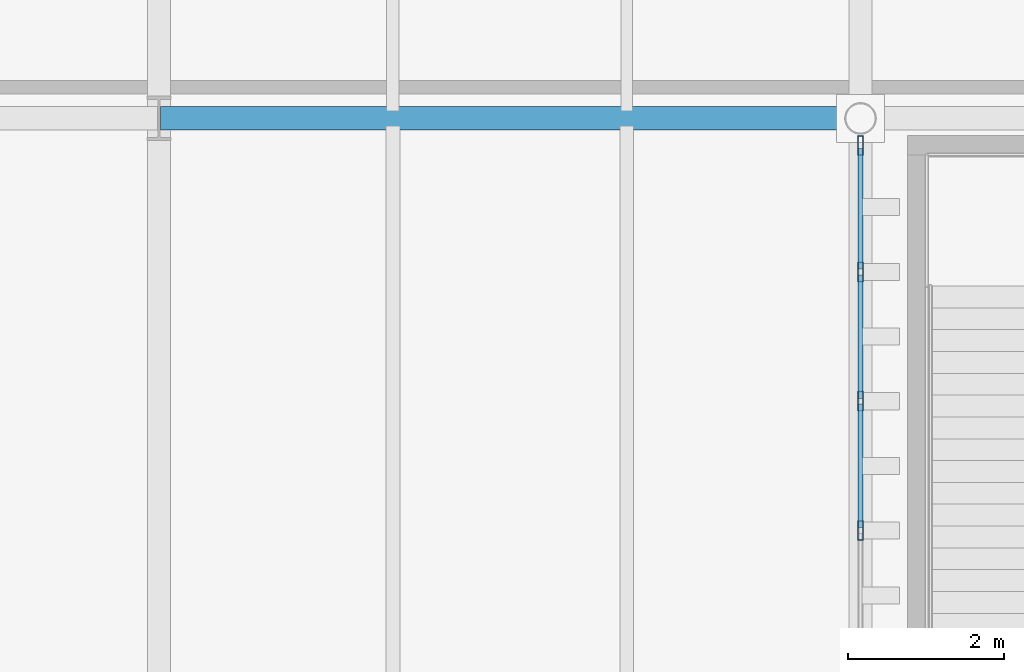
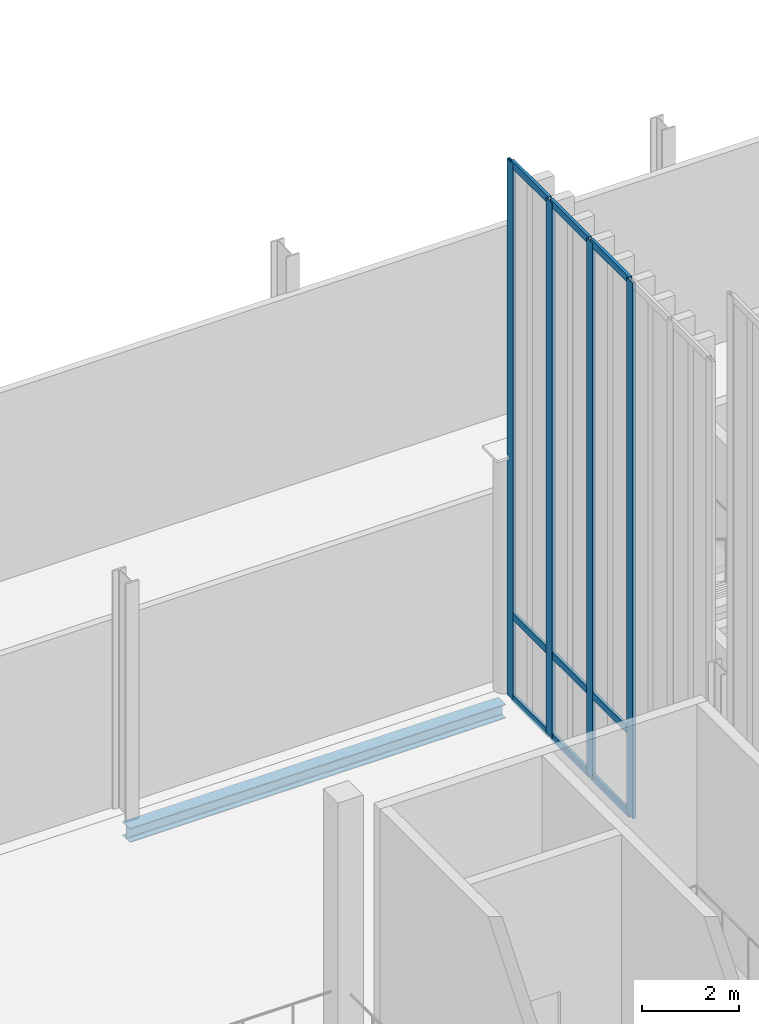
# One storey, part 72 of 237: 13 members, 1 beam, 1 element without a shape of its own.
"""IFC4 building model written with IfcOpenShell, lengths in metres."""

from ifc_helpers import new_model, si_unit, direction, frame, origin, origin_2d, place, context, subcontext, project, spatial, hollow_rectangle, i_section, extrude, material, layer, layer_set, material_profile, profile_set, type_object, element, aggregate, save


model = new_model("IFC4")

# Units and contexts
model_context = context("Model", 3, precision=1e-05, world=origin(), true_north=direction((0.0, 1.0)))
body_context = subcontext(model_context, "Body", "Model", "MODEL_VIEW")
ifc_project = project(units=[si_unit("LENGTHUNIT", "METRE"), si_unit("AREAUNIT", "SQUARE_METRE"), si_unit("VOLUMEUNIT", "CUBIC_METRE"), si_unit("PLANEANGLEUNIT", "RADIAN"), si_unit("MASSUNIT", "GRAM", prefix="KILO")], contexts=[model_context])

# Site, building, storey
site_placement = place(None, origin())
site = spatial("IfcSite", under=ifc_project, at=site_placement, CompositionType="ELEMENT")
building_placement = place(site_placement, origin())
building = spatial("IfcBuilding", under=site, at=building_placement, Name="Barlavento Convention Centre", CompositionType="ELEMENT")
storey_placement = place(building_placement, frame((0.0, 0.0, 12.0)))
storey = spatial("IfcBuildingStorey", under=building, at=storey_placement, Name="L02", CompositionType="ELEMENT", Elevation=12.0)

# Curtain wall, members
ifc_material_1 = material(Name="Powder-coated aluminium and Low-E glass", Category="aluminium")
ifc_layer = layer(ifc_material_1, 0.18994140625)
ifc_layer_set = layer_set([ifc_layer], Name="ARC-CW-CONG-L02")
curtain_wall_type = type_object("IfcCurtainWallType", Name="ARC-CW-CONG-L02", PredefinedType="NOTDEFINED", material=ifc_layer_set)
curtain_wall_placement = place(storey_placement, origin())
curtain_wall = element("IfcCurtainWall", 1, at=curtain_wall_placement, inside=storey, type_object=curtain_wall_type, Name="L02 unitised curtain wall CW02", PredefinedType="NOTDEFINED")
ifc_material_2 = material(Name="Powder-coated aluminium", Category="aluminium")
ifc_material_profile_1 = material_profile(ifc_material_2, hollow_rectangle(XDim=0.074951171875, YDim=0.25, WallThickness=0.006103515625, at=origin_2d()), Name="AL-MULL 75x250x6")
ifc_profile_set_1 = profile_set([ifc_material_profile_1], Name="Powder-coated aluminium")
member_type_1 = type_object("IfcMemberType", Name="ARC-CWM-75X250", PredefinedType="MULLION", material=ifc_profile_set_1)
member_1_placement = place(storey_placement, frame((63.0, 48.71142578125, 0.0), z_axis=(0.0, 0.0, 1.0), x_axis=(-1.0, 0.0, 0.0)))
member_1 = element("IfcMember", 2, at=member_1_placement, type_object=member_type_1, Name="CW02 mullion 3", PredefinedType="MULLION", context=body_context, shape_type="SweptSolid", body=[
    extrude(hollow_rectangle(XDim=0.074951171875, YDim=0.25, WallThickness=0.006103515625, at=origin_2d()), origin(), (0.0, 0.0, 1.0), 13.5029296875),
])
member_2_placement = place(storey_placement, frame((63.0, 50.37158203125, 0.0), z_axis=(0.0, 0.0, 1.0), x_axis=(-1.0, 0.0, 0.0)))
member_2 = element("IfcMember", 3, at=member_2_placement, type_object=member_type_1, Name="CW02 mullion 4", PredefinedType="MULLION", context=body_context, shape_type="SweptSolid", body=[
    extrude(hollow_rectangle(XDim=0.074951171875, YDim=0.25, WallThickness=0.006103515625, at=origin_2d()), origin(), (0.0, 0.0, 1.0), 13.5029296875),
])
member_3_placement = place(storey_placement, frame((63.0, 52.03173828125, 0.0), z_axis=(0.0, 0.0, 1.0), x_axis=(-1.0, 0.0, 0.0)))
member_3 = element("IfcMember", 4, at=member_3_placement, type_object=member_type_1, Name="CW02 mullion 5", PredefinedType="MULLION", context=body_context, shape_type="SweptSolid", body=[
    extrude(hollow_rectangle(XDim=0.074951171875, YDim=0.25, WallThickness=0.006103515625, at=origin_2d()), origin(), (0.0, 0.0, 1.0), 13.5029296875),
])
member_4_placement = place(storey_placement, frame((63.0, 53.654296875, 0.0), z_axis=(0.0, 0.0, 1.0), x_axis=(-1.0, 0.0, 0.0)))
member_4 = element("IfcMember", 5, at=member_4_placement, type_object=member_type_1, Name="CW02 mullion 6", PredefinedType="MULLION", context=body_context, shape_type="SweptSolid", body=[
    extrude(hollow_rectangle(XDim=0.074951171875, YDim=0.25, WallThickness=0.006103515625, at=origin_2d()), origin(), (0.0, 0.0, 1.0), 13.5029296875),
])
ifc_material_profile_2 = material_profile(ifc_material_2, hollow_rectangle(XDim=0.070068359375, YDim=0.179931640625, WallThickness=0.0048828125, at=origin_2d()), Name="AL-TRAN 70x180x5")
ifc_profile_set_2 = profile_set([ifc_material_profile_2], Name="Powder-coated aluminium")
member_type_2 = type_object("IfcMemberType", Name="ARC-CWT-70X180", PredefinedType="USERDEFINED", material=ifc_profile_set_2)
member_5_placement = place(storey_placement, frame((63.0, 48.748779296875, 0.034912109375), z_axis=(0.0, 1.0, 0.0), x_axis=(-1.0, 0.0, 0.0)))
member_5 = element("IfcMember", 6, at=member_5_placement, type_object=member_type_2, Name="CW02 transom 3.1", ObjectType="TRANSOM", PredefinedType="USERDEFINED", context=body_context, shape_type="SweptSolid", body=[
    extrude(hollow_rectangle(XDim=0.070068359375, YDim=0.179931640625, WallThickness=0.0048828125, at=origin_2d()), origin(), (0.0, 0.0, 1.0), 1.585205078125),
])
member_6_placement = place(storey_placement, frame((63.0, 48.748779296875, 2.10009765625), z_axis=(0.0, 1.0, 0.0), x_axis=(-1.0, 0.0, 0.0)))
member_6 = element("IfcMember", 7, at=member_6_placement, type_object=member_type_2, Name="CW02 transom 3.2", ObjectType="TRANSOM", PredefinedType="USERDEFINED", context=body_context, shape_type="SweptSolid", body=[
    extrude(hollow_rectangle(XDim=0.070068359375, YDim=0.179931640625, WallThickness=0.0048828125, at=origin_2d()), origin(), (0.0, 0.0, 1.0), 1.585205078125),
])
member_7_placement = place(storey_placement, frame((63.0, 48.748779296875, 13.468017578125), z_axis=(0.0, 1.0, 0.0), x_axis=(-1.0, 0.0, 0.0)))
member_7 = element("IfcMember", 8, at=member_7_placement, type_object=member_type_2, Name="CW02 transom 3.3", ObjectType="TRANSOM", PredefinedType="USERDEFINED", context=body_context, shape_type="SweptSolid", body=[
    extrude(hollow_rectangle(XDim=0.070068359375, YDim=0.179931640625, WallThickness=0.0048828125, at=origin_2d()), origin(), (0.0, 0.0, 1.0), 1.585205078125),
])
member_8_placement = place(storey_placement, frame((63.0, 50.408935546875, 0.034912109375), z_axis=(0.0, 1.0, 0.0), x_axis=(-1.0, 0.0, 0.0)))
member_8 = element("IfcMember", 9, at=member_8_placement, type_object=member_type_2, Name="CW02 transom 4.1", ObjectType="TRANSOM", PredefinedType="USERDEFINED", context=body_context, shape_type="SweptSolid", body=[
    extrude(hollow_rectangle(XDim=0.070068359375, YDim=0.179931640625, WallThickness=0.0048828125, at=origin_2d()), origin(), (0.0, 0.0, 1.0), 1.585205078125),
])
member_9_placement = place(storey_placement, frame((63.0, 50.408935546875, 2.10009765625), z_axis=(0.0, 1.0, 0.0), x_axis=(-1.0, 0.0, 0.0)))
member_9 = element("IfcMember", 10, at=member_9_placement, type_object=member_type_2, Name="CW02 transom 4.2", ObjectType="TRANSOM", PredefinedType="USERDEFINED", context=body_context, shape_type="SweptSolid", body=[
    extrude(hollow_rectangle(XDim=0.070068359375, YDim=0.179931640625, WallThickness=0.0048828125, at=origin_2d()), origin(), (0.0, 0.0, 1.0), 1.585205078125),
])
member_10_placement = place(storey_placement, frame((63.0, 50.408935546875, 13.468017578125), z_axis=(0.0, 1.0, 0.0), x_axis=(-1.0, 0.0, 0.0)))
member_10 = element("IfcMember", 11, at=member_10_placement, type_object=member_type_2, Name="CW02 transom 4.3", ObjectType="TRANSOM", PredefinedType="USERDEFINED", context=body_context, shape_type="SweptSolid", body=[
    extrude(hollow_rectangle(XDim=0.070068359375, YDim=0.179931640625, WallThickness=0.0048828125, at=origin_2d()), origin(), (0.0, 0.0, 1.0), 1.585205078125),
])
member_11_placement = place(storey_placement, frame((63.0, 52.069091796875, 0.034912109375), z_axis=(0.0, 1.0, 0.0), x_axis=(-1.0, 0.0, 0.0)))
member_11 = element("IfcMember", 12, at=member_11_placement, type_object=member_type_2, Name="CW02 transom 5.1", ObjectType="TRANSOM", PredefinedType="USERDEFINED", context=body_context, shape_type="SweptSolid", body=[
    extrude(hollow_rectangle(XDim=0.070068359375, YDim=0.179931640625, WallThickness=0.0048828125, at=origin_2d()), origin(), (0.0, 0.0, 1.0), 1.547607421875),
])
member_12_placement = place(storey_placement, frame((63.0, 52.069091796875, 2.10009765625), z_axis=(0.0, 1.0, 0.0), x_axis=(-1.0, 0.0, 0.0)))
member_12 = element("IfcMember", 13, at=member_12_placement, type_object=member_type_2, Name="CW02 transom 5.2", ObjectType="TRANSOM", PredefinedType="USERDEFINED", context=body_context, shape_type="SweptSolid", body=[
    extrude(hollow_rectangle(XDim=0.070068359375, YDim=0.179931640625, WallThickness=0.0048828125, at=origin_2d()), origin(), (0.0, 0.0, 1.0), 1.547607421875),
])
member_13_placement = place(storey_placement, frame((63.0, 52.069091796875, 13.468017578125), z_axis=(0.0, 1.0, 0.0), x_axis=(-1.0, 0.0, 0.0)))
member_13 = element("IfcMember", 14, at=member_13_placement, type_object=member_type_2, Name="CW02 transom 5.3", ObjectType="TRANSOM", PredefinedType="USERDEFINED", context=body_context, shape_type="SweptSolid", body=[
    extrude(hollow_rectangle(XDim=0.070068359375, YDim=0.179931640625, WallThickness=0.0048828125, at=origin_2d()), origin(), (0.0, 0.0, 1.0), 1.547607421875),
])
aggregate(curtain_wall, [member_1, member_2, member_3, member_4, member_5, member_6, member_7, member_8, member_9, member_10, member_11, member_12, member_13])

# Beam
ifc_material_3 = material(Name="Steel S355", Category="steel")
ifc_material_profile_3 = material_profile(ifc_material_3, i_section(OverallWidth=0.300048828125, OverallDepth=0.360107421875, WebThickness=0.012451171875, FlangeThickness=0.0224609375, FilletRadius=0.027099609375, at=origin_2d()), Name="HEB 360")
ifc_profile_set_3 = profile_set([ifc_material_profile_3], Name="Steel S355")
beam_type = type_object("IfcBeamType", Name="STR-BM-PRI-HEB360", PredefinedType="BEAM", material=ifc_profile_set_3)
beam_placement = place(storey_placement, frame((54.02001953125, 54.0, -0.47998046875), z_axis=(1.0, 0.0, 0.0), x_axis=(0.0, 1.0, 0.0)))
element("IfcBeam", 15, at=beam_placement, inside=storey, type_object=beam_type, Name="L02 primary girder BG12", PredefinedType="BEAM", context=body_context, shape_type="SweptSolid", body=[
    extrude(i_section(OverallWidth=0.300048828125, OverallDepth=0.360107421875, WebThickness=0.012451171875, FlangeThickness=0.0224609375, FilletRadius=0.027099609375, at=origin_2d()), origin(), (0.0, 0.0, 1.0), 8.9599609375),
])

save(model, "model.ifc")
